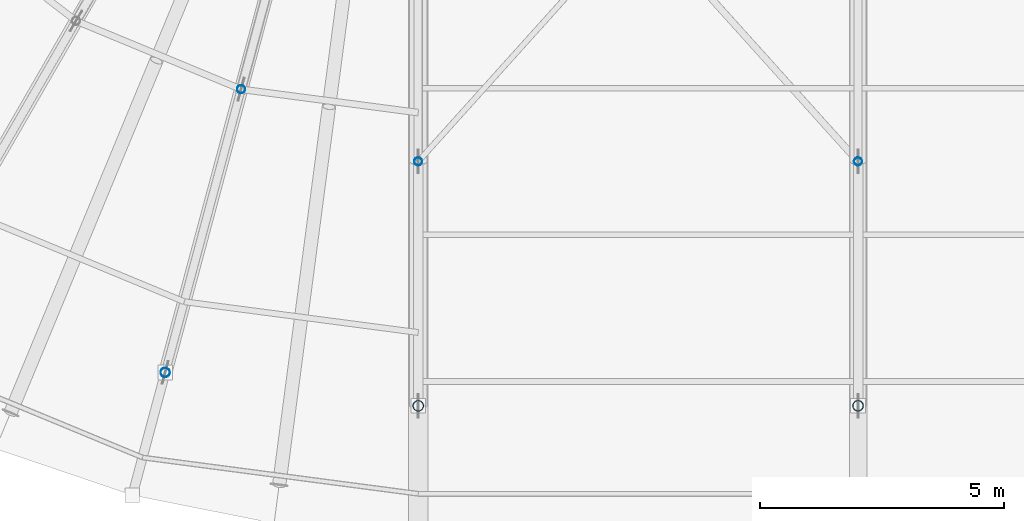
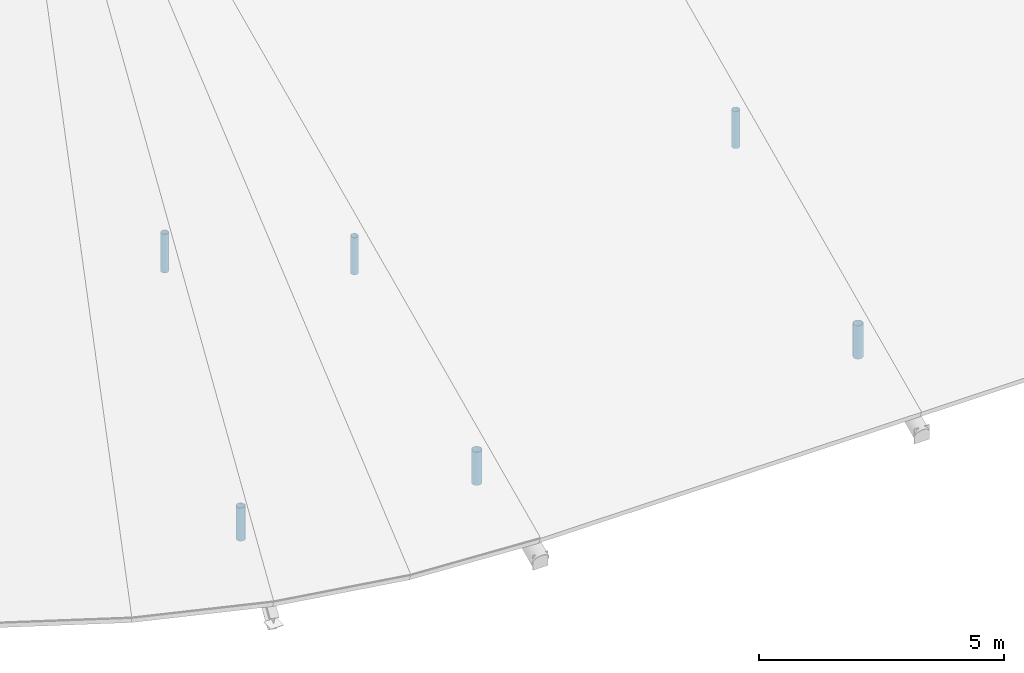
# One storey, part 70 of 107: 6 members.
"""IFC4 building model written with IfcOpenShell, lengths in metres."""

from ifc_helpers import new_model, si_unit, derived_unit, direction, frame, origin, origin_2d, place, context, subcontext, project, spatial, hollow_circle, extrude, material, material_profile, profile_set, type_object, element, save


model = new_model("IFC4")

# Units and contexts
model_context = context("Model", 3, precision=1e-05, world=origin(), true_north=direction((0.0, 1.0)))
body_context = subcontext(model_context, "Body", "Model", "MODEL_VIEW")
ifc_project = project(units=[si_unit("LENGTHUNIT", "METRE"), si_unit("AREAUNIT", "SQUARE_METRE"), si_unit("VOLUMEUNIT", "CUBIC_METRE"), si_unit("PLANEANGLEUNIT", "RADIAN"), si_unit("MASSUNIT", "GRAM", prefix="KILO"), si_unit("THERMODYNAMICTEMPERATUREUNIT", "KELVIN"), si_unit("TIMEUNIT", "SECOND"), derived_unit("THERMALTRANSMITTANCEUNIT", [(si_unit("MASSUNIT", "GRAM", prefix="KILO"), 1), (si_unit("THERMODYNAMICTEMPERATUREUNIT", "KELVIN"), -1), (si_unit("TIMEUNIT", "SECOND"), -3)])], contexts=[model_context])

# Site, building, storey
site_placement = place(None, origin())
site = spatial("IfcSite", under=ifc_project, at=site_placement, CompositionType="ELEMENT")
building_placement = place(site_placement, origin())
building = spatial("IfcBuilding", under=site, at=building_placement, Name="Cambertide Market Hall", CompositionType="ELEMENT")
storey_placement = place(building_placement, frame((0.0, 0.0, 18.300048828125)))
storey = spatial("IfcBuildingStorey", under=building, at=storey_placement, Name="RF", CompositionType="ELEMENT", Elevation=18.300048828125)

# Members
ifc_material_1 = material(Name="Steel S355", Category="steel")
ifc_material_profile_1 = material_profile(ifc_material_1, hollow_circle(Radius=0.084228515625, WallThickness=0.00634765625, at=origin_2d()), Name="CHS 168.3x6.3")
ifc_profile_set_1 = profile_set([ifc_material_profile_1], Name="Steel S355")
member_type_1 = type_object("IfcMemberType", Name="Structural Brace CHS 168.3x6.3", PredefinedType="BRACE", material=ifc_profile_set_1)
for number, where, z_axis, x_axis, name in (
    (1, (42.0, 57.0, -8.1767578125), (0.0, 0.0, 1.0), (1.0, 0.0, 0.0), "Roof Truss 1 Web Post 2"),
    (2, (51.0, 57.0, -8.1767578125), (0.0, 0.0, 1.0), (1.0, 0.0, 0.0), "Roof Truss 2 Web Post 2"),
):
    element("IfcMember", number, at=place(storey_placement, frame(where, z_axis=z_axis, x_axis=x_axis)), inside=storey, type_object=member_type_1, Name=name, PredefinedType="BRACE", context=body_context, shape_type="SweptSolid", body=[
        extrude(hollow_circle(Radius=0.084228515625, WallThickness=0.00634765625, at=origin_2d()), origin(), (0.0, 0.0, 1.0), 0.9267578125),
    ])
member_1_placement = place(storey_placement, frame((38.37646484375, 58.47705078125, -7.756103515625), z_axis=(0.0, 0.0, 1.0), x_axis=(1.0, 0.0, 0.0)))
element("IfcMember", 3, at=member_1_placement, inside=storey, type_object=member_type_1, Name="RWV-W-22-V2", PredefinedType="BRACE", context=body_context, shape_type="SweptSolid", body=[
    extrude(hollow_circle(Radius=0.084228515625, WallThickness=0.00634765625, at=origin_2d()), origin(), (0.0, 0.0, 1.0), 0.966064453125),
])
ifc_material_2 = material(Name="Steel S355", Category="steel")
ifc_material_profile_2 = material_profile(ifc_material_2, hollow_circle(Radius=0.096923828125, WallThickness=0.00634765625, at=origin_2d()), Name="CHS 193.7x6.3")
ifc_profile_set_2 = profile_set([ifc_material_profile_2], Name="Steel S355")
member_type_2 = type_object("IfcMemberType", Name="Structural Brace CHS 193.7x6.3", PredefinedType="BRACE", material=ifc_profile_set_2)
member_2_placement = place(storey_placement, frame((36.82373046875, 52.681396484375, -10.380126953125), z_axis=(0.0, 0.0, 1.0), x_axis=(1.0, 0.0, 0.0)))
element("IfcMember", 4, at=member_2_placement, inside=storey, type_object=member_type_2, Name="RWV-W-22-V3", PredefinedType="BRACE", context=body_context, shape_type="SweptSolid", body=[
    extrude(hollow_circle(Radius=0.096923828125, WallThickness=0.00634765625, at=origin_2d()), origin(), (0.0, 0.0, 1.0), 0.830078125),
])
ifc_material_3 = material(Name="Steel S355", Category="steel")
ifc_material_profile_3 = material_profile(ifc_material_3, hollow_circle(Radius=0.109619140625, WallThickness=0.008056640625, at=origin_2d()), Name="CHS 219.1x8")
ifc_profile_set_3 = profile_set([ifc_material_profile_3], Name="Steel S355")
member_type_3 = type_object("IfcMemberType", Name="Structural Brace CHS 219.1x8", PredefinedType="BRACE", material=ifc_profile_set_3)
for number, where, z_axis, x_axis, name in (
    (5, (42.0, 52.0, -10.380126953125), (0.0, 0.0, 1.0), (1.0, 0.0, 0.0), "Roof Truss 1 Web Post 1"),
    (6, (51.0, 52.0, -10.380126953125), (0.0, 0.0, 1.0), (1.0, 0.0, 0.0), "Roof Truss 2 Web Post 1"),
):
    element("IfcMember", number, at=place(storey_placement, frame(where, z_axis=z_axis, x_axis=x_axis)), inside=storey, type_object=member_type_3, Name=name, PredefinedType="BRACE", context=body_context, shape_type="SweptSolid", body=[
        extrude(hollow_circle(Radius=0.109619140625, WallThickness=0.008056640625, at=origin_2d()), origin(), (0.0, 0.0, 1.0), 0.830078125),
    ])

save(model, "model.ifc")
